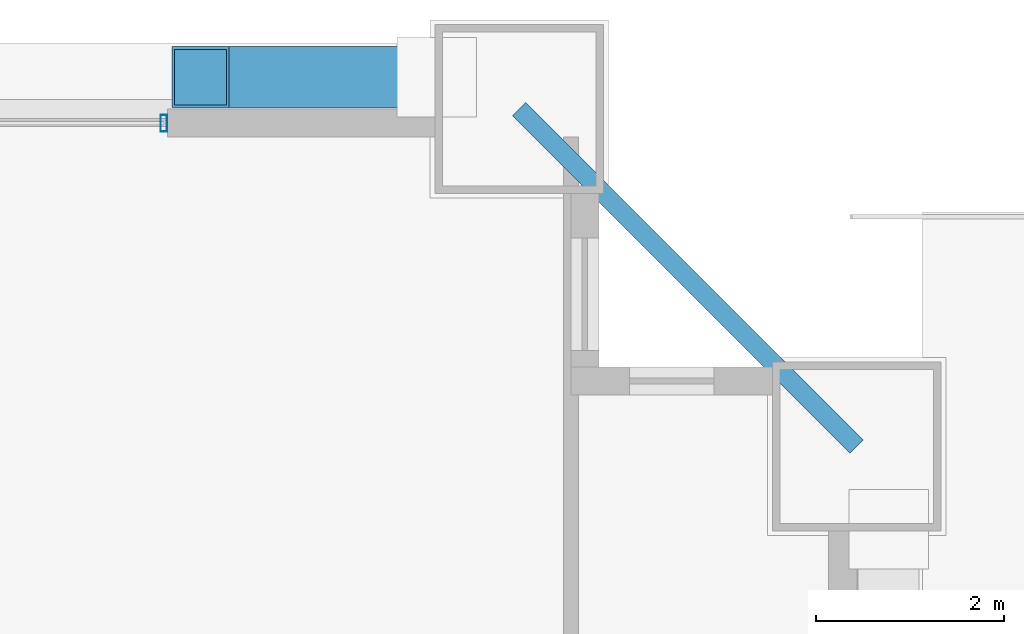
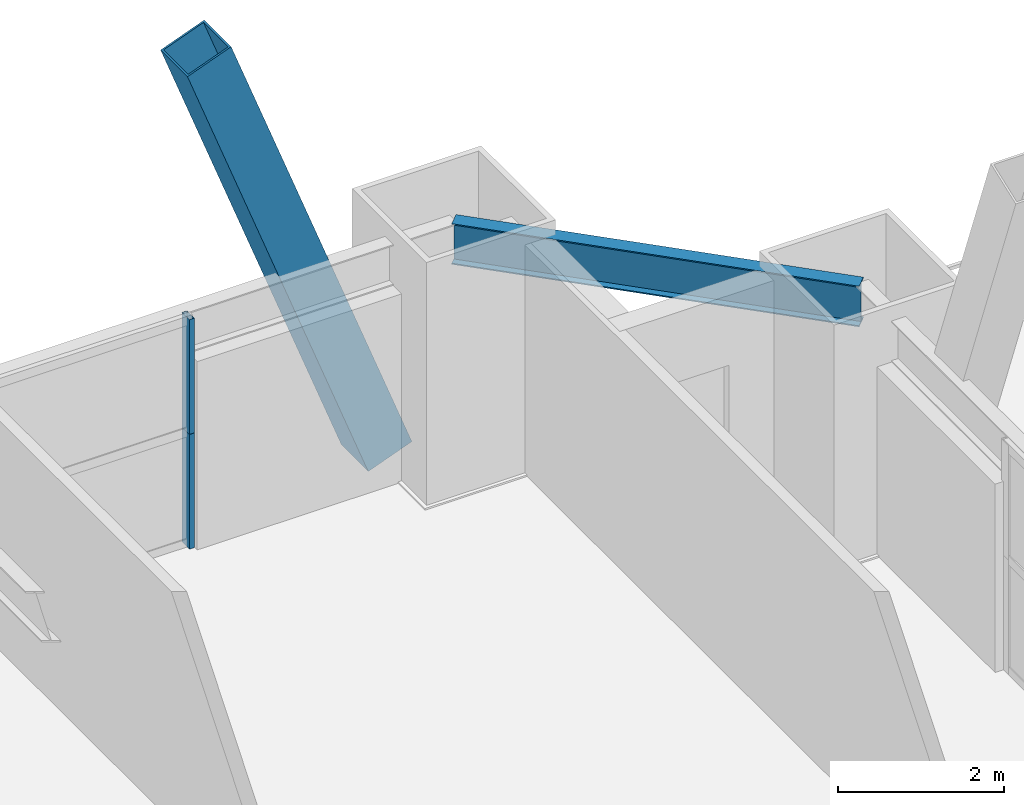
# One storey, part 36 of 45: 3 members, 1 beam, 1 element without a shape of its own.
"""IFC4 building model written with IfcOpenShell, lengths in metres."""

from ifc_helpers import new_model, si_unit, direction, frame, origin, origin_2d, place, context, subcontext, project, spatial, hollow_rectangle, i_section, extrude, source, transform, mapped, material, layer, layer_set, material_profile, profile_set, type_object, element, aggregate, save


model = new_model("IFC4")

# Units and contexts
model_context = context("Model", 3, precision=1e-05, world=origin(), true_north=direction((0.0, 1.0)))
body_context = subcontext(model_context, "Body", "Model", "MODEL_VIEW")
ifc_project = project(units=[si_unit("LENGTHUNIT", "METRE"), si_unit("AREAUNIT", "SQUARE_METRE"), si_unit("VOLUMEUNIT", "CUBIC_METRE"), si_unit("PLANEANGLEUNIT", "RADIAN"), si_unit("MASSUNIT", "GRAM", prefix="KILO"), si_unit("THERMODYNAMICTEMPERATUREUNIT", "KELVIN"), si_unit("POWERUNIT", "WATT")], contexts=[model_context])

# Site, building, storey
site_placement = place(None, origin())
site = spatial("IfcSite", under=ifc_project, at=site_placement, CompositionType="ELEMENT")
building_placement = place(site_placement, origin())
building = spatial("IfcBuilding", under=site, at=building_placement, Name="Yuzanri Waterfront Tower", CompositionType="ELEMENT")
storey_placement = place(building_placement, frame((0.0, 0.0, 30.60009765625)))
storey = spatial("IfcBuildingStorey", under=building, at=storey_placement, Name="L07", CompositionType="ELEMENT", Elevation=30.60009765625)

# Beam
ifc_material_1 = material(Name="Steel Q355B", Category="steel")
ifc_material_profile_1 = material_profile(ifc_material_1, i_section(OverallWidth=0.199951171875, OverallDepth=0.60009765625, WebThickness=0.010986328125, FlangeThickness=0.01708984375, at=origin_2d()), Name="HN 600x200x11x17")
ifc_profile_set_1 = profile_set([ifc_material_profile_1], Name="Steel Q355B")
beam_type = type_object("IfcBeamType", Name="Perimeter Spandrel Q355B HN 600x200", PredefinedType="SPANDREL", material=ifc_profile_set_1)
shared_shape_1 = source(origin(), body_context, "Body", "SweptSolid", [
    extrude(i_section(OverallWidth=0.199951171875, OverallDepth=0.60009765625, WebThickness=0.010986328125, FlangeThickness=0.01708984375, at=origin_2d()), origin(), (0.0, 0.0, 1.0), 5.091064453125),
])
beam_placement = place(storey_placement, frame((62.10009765625, 47.300048828125, 3.079833984375), z_axis=(-0.707130757816, 0.707082803744, 0.0), x_axis=(-0.707082803744, -0.707130757816, 0.0)))
element("IfcBeam", 1, at=beam_placement, inside=storey, type_object=beam_type, Name="L07 Perimeter Spandrel E3-N3", PredefinedType="SPANDREL", context=body_context, shape_type="MappedRepresentation", body=[
    mapped(shared_shape_1, transform((0.0, 0.0, 0.0), scale=1.0)),
])

# Member
ifc_material_2 = material(Name="Steel Q420GJC", Category="steel")
ifc_material_profile_2 = material_profile(ifc_material_2, hollow_rectangle(XDim=0.64990234375, YDim=0.64990234375, WallThickness=0.028076171875, at=origin_2d()), Name="RHS 650x650x28")
ifc_profile_set_2 = profile_set([ifc_material_profile_2], Name="Steel Q420GJC")
member_type_1 = type_object("IfcMemberType", Name="Mega Brace Lower Q420GJC RHS 650x650x28", PredefinedType="BRACE", material=ifc_profile_set_2)
shared_shape_2 = source(origin(), body_context, "Body", "SweptSolid", [
    extrude(hollow_rectangle(XDim=0.64990234375, YDim=0.64990234375, WallThickness=0.028076171875, at=origin_2d()), origin(), (0.0, 0.0, 1.0), 7.158203125),
])
member_1_placement = place(storey_placement, frame((57.6201171875, 51.239990234375, 0.179931640625), z_axis=(-0.352046480343, 0.0, 0.935982518896), x_axis=(0.0, -1.0, 0.0)))
element("IfcMember", 2, at=member_1_placement, inside=storey, type_object=member_type_1, Name="L07-L08 Perimeter Mega-Brace N-R", PredefinedType="BRACE", context=body_context, shape_type="MappedRepresentation", body=[
    mapped(shared_shape_2, transform((0.0, 0.0, 0.0), scale=1.0)),
])

# Curtain wall, members
ifc_material_3 = material(Name="Anodized Architectural Bronze", Category="metal")
ifc_layer = layer(ifc_material_3, 0.159912109375)
ifc_layer_set = layer_set([ifc_layer], Name="Anodized Architectural Bronze")
curtain_wall_type = type_object("IfcCurtainWallType", Name="Anodized Bronze Hotel Lower-Tier Recessed Unitized Curtain Wall 8100", PredefinedType="NOTDEFINED", material=ifc_layer_set)
curtain_wall_placement = place(storey_placement, origin())
curtain_wall = element("IfcCurtainWall", 3, at=curtain_wall_placement, inside=storey, type_object=curtain_wall_type, Name="L07 Curtain Wall CW-L07-NR", PredefinedType="NOTDEFINED")
ifc_material_4 = material(Name="Anodized Architectural Bronze", Category="metal")
ifc_material_profile_3 = material_profile(ifc_material_4, hollow_rectangle(XDim=0.070068359375, YDim=0.179931640625, WallThickness=0.00390625, at=origin_2d()), Name="CWM 70x180")
ifc_profile_set_3 = profile_set([ifc_material_profile_3], Name="Anodized Architectural Bronze")
member_type_2 = type_object("IfcMemberType", Name="Anodized Bronze Standard Curtain-Wall Mullion 70x180", PredefinedType="MULLION", material=ifc_profile_set_3)
shared_shape_3 = source(origin(), body_context, "Body", "SweptSolid", [
    extrude(hollow_rectangle(XDim=0.070068359375, YDim=0.179931640625, WallThickness=0.00390625, at=origin_2d()), origin(), (0.0, 0.0, 1.0), 1.68798828125),
])
member_2_placement = place(storey_placement, frame((54.7099609375, 50.75, 0.0), z_axis=(0.0, 0.0, 1.0), x_axis=(1.0, 0.0, 0.0)))
member_2 = element("IfcMember", 4, at=member_2_placement, type_object=member_type_2, Name="CW-L07-NR Lower Mullion 02", PredefinedType="MULLION", context=body_context, shape_type="MappedRepresentation", body=[
    mapped(shared_shape_3, transform((0.0, 0.0, 0.0), scale=1.0)),
])
member_3_placement = place(storey_placement, frame((54.7099609375, 50.75, 1.69189453125), z_axis=(0.0, 0.0, 1.0), x_axis=(1.0, 0.0, 0.0)))
member_3 = element("IfcMember", 5, at=member_3_placement, type_object=member_type_2, Name="CW-L07-NR Upper Mullion 02", PredefinedType="MULLION", context=body_context, shape_type="MappedRepresentation", body=[
    mapped(shared_shape_3, transform((0.0, 0.0, 0.0), scale=1.0)),
])
aggregate(curtain_wall, [member_2, member_3])

save(model, "model.ifc")
